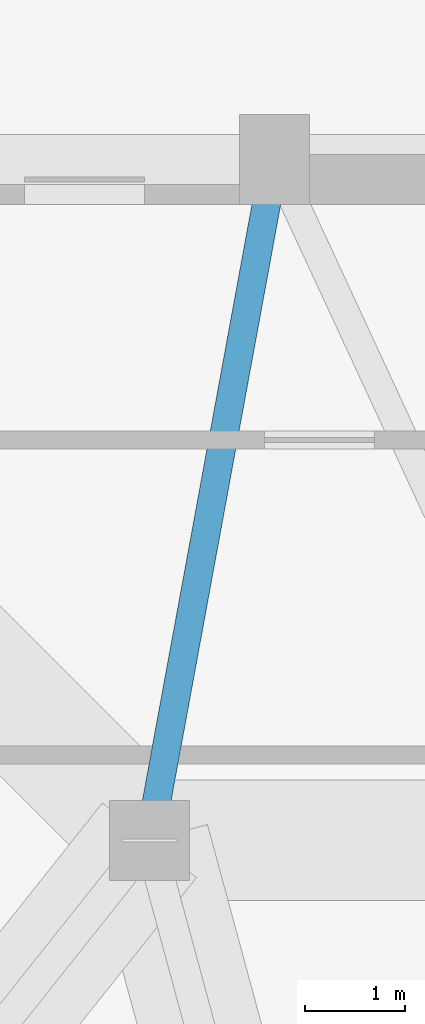
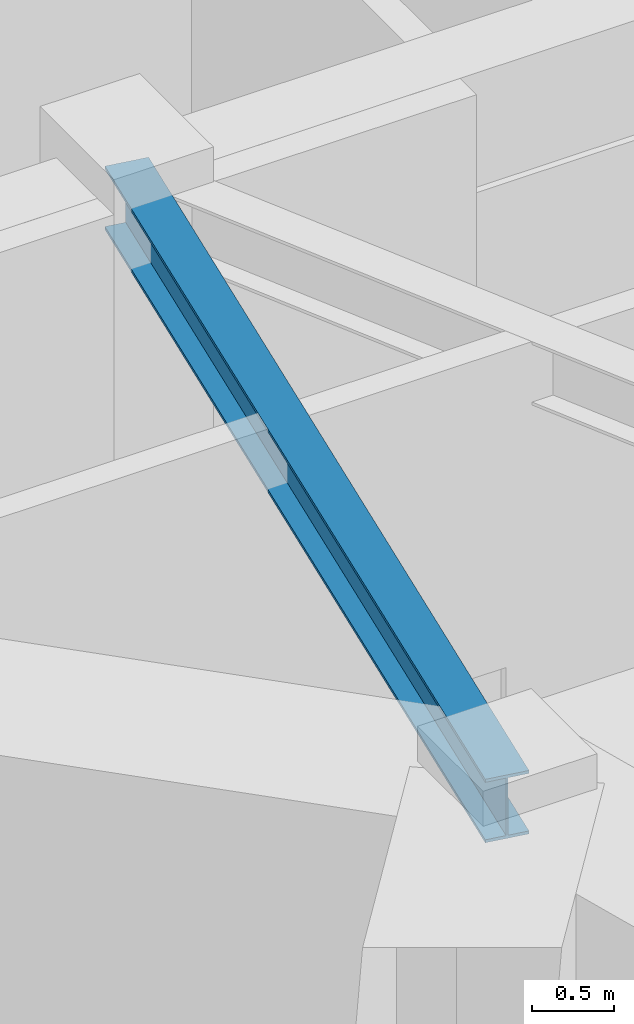
# One storey, part 5 of 39: 1 beam.
"""IFC4 building model written with IfcOpenShell, lengths in metres."""

from ifc_helpers import new_model, si_unit, direction, frame, origin, origin_2d, place, context, subcontext, project, spatial, i_section, extrude, material, material_profile, profile_set, type_object, element, save


model = new_model("IFC4")

# Units and contexts
model_context = context("Model", 3, precision=1e-05, world=origin(), true_north=direction((0.0, 1.0)))
body_context = subcontext(model_context, "Body", "Model", "MODEL_VIEW")
ifc_project = project(units=[si_unit("LENGTHUNIT", "METRE"), si_unit("AREAUNIT", "SQUARE_METRE"), si_unit("VOLUMEUNIT", "CUBIC_METRE"), si_unit("PLANEANGLEUNIT", "RADIAN"), si_unit("MASSUNIT", "GRAM", prefix="KILO")], contexts=[model_context])

# Site, building, storey
site_placement = place(None, origin())
site = spatial("IfcSite", under=ifc_project, at=site_placement, CompositionType="ELEMENT")
building_placement = place(site_placement, origin())
building = spatial("IfcBuilding", under=site, at=building_placement, Name="Veraguas Prism Commons", CompositionType="ELEMENT")
storey_placement = place(building_placement, frame((0.0, 0.0, 264.25)))
storey = spatial("IfcBuildingStorey", under=building, at=storey_placement, Name="L75", CompositionType="ELEMENT", Elevation=264.25)

# Beam
ifc_material = material(Name="Steel ASTM A992 Grade 50", Category="steel")
ifc_material_profile = material_profile(ifc_material, i_section(OverallWidth=0.282958984375, OverallDepth=0.471923828125, WebThickness=0.013671875, FlangeThickness=0.022216796875, at=origin_2d()), Name="W460X144")
ifc_profile_set = profile_set([ifc_material_profile], Name="Steel ASTM A992 Grade 50")
beam_type = type_object("IfcBeamType", Name="Zone 4 Radial Girder W460x144", PredefinedType="BEAM", material=ifc_profile_set)
beam_placement = place(storey_placement, frame((19.60009765625, 10.199951171875, 4.154052734375), z_axis=(0.180793033327, 0.983521163524, 0.0), x_axis=(-0.983521163524, 0.180793033327, 0.0)))
element("IfcBeam", 1, at=beam_placement, inside=storey, type_object=beam_type, Name="Crown Base Radial Girder L75-RD10", PredefinedType="BEAM", context=body_context, shape_type="SweptSolid", body=[
    extrude(i_section(OverallWidth=0.282958984375, OverallDepth=0.471923828125, WebThickness=0.013671875, FlangeThickness=0.022216796875, at=origin_2d()), origin(), (0.0, 0.0, 1.0), 6.9140625),
])

save(model, "model.ifc")
